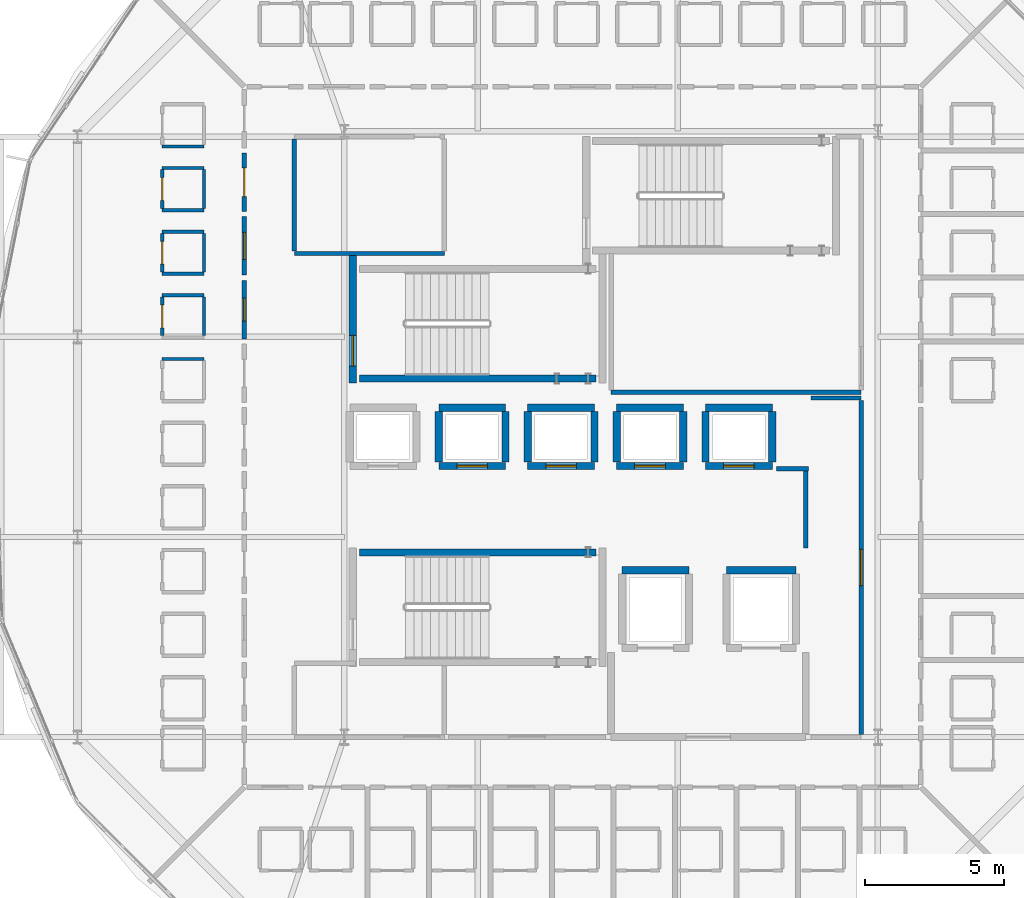
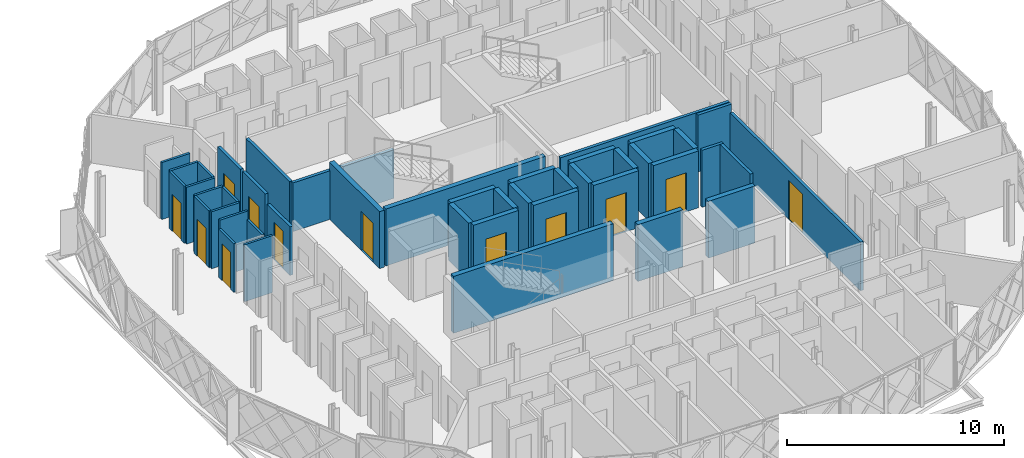
# One storey, part 31 of 40: 44 walls, 12 doors, 12 openings.
"""IFC4 building model written with IfcOpenShell, lengths in metres."""

from ifc_helpers import new_model, si_unit, direction, frame, frame_2d, origin, place, context, subcontext, project, spatial, rectangle, extrude, material, layer, layer_set, type_object, element, fill, save


model = new_model("IFC4")

# Units and contexts
model_context = context("Model", 3, precision=1e-05, world=origin(), true_north=direction((0.0, 1.0)))
body_context = subcontext(model_context, "Body", "Model", "MODEL_VIEW")
ifc_project = project(units=[si_unit("LENGTHUNIT", "METRE"), si_unit("AREAUNIT", "SQUARE_METRE"), si_unit("VOLUMEUNIT", "CUBIC_METRE"), si_unit("PLANEANGLEUNIT", "RADIAN"), si_unit("MASSUNIT", "GRAM", prefix="KILO")], contexts=[model_context])

# Site, building, storey
site_placement = place(None, origin())
site = spatial("IfcSite", under=ifc_project, at=site_placement, CompositionType="ELEMENT")
building_placement = place(site_placement, origin())
building = spatial("IfcBuilding", under=site, at=building_placement, Name="Zevrakil Square Congress Hotel", CompositionType="ELEMENT")
storey_placement = place(building_placement, frame((0.0, 0.0, 18.10009765625)))
storey = spatial("IfcBuildingStorey", under=building, at=storey_placement, Name="L05", CompositionType="ELEMENT", Elevation=18.10009765625)

# Walls
ifc_material_1 = material(Name="Gypsum Acoustic Stud Partition")
ifc_layer_1 = layer(ifc_material_1, 0.159912109375)
ifc_layer_set_1 = layer_set([ifc_layer_1], Name="Gypsum Acoustic Stud Partition")
wall_type_1 = type_object("IfcWallType", Name="WAL-CORR-160", PredefinedType="PARTITIONING", material=ifc_layer_set_1)
wall_1_placement = place(storey_placement, frame((135.0, 34.199951171875, 0.0), z_axis=(0.0, 0.0, 1.0), x_axis=(1.0, 0.0, 0.0)))
element("IfcWall", 1, at=wall_1_placement, inside=storey, type_object=wall_type_1, Name="L05 interior partition PW-L05-0463", PredefinedType="PARTITIONING", context=body_context, shape_type="SweptSolid", body=[
    extrude(rectangle(XDim=5.39990234375, YDim=0.159912109375, at=frame_2d((2.699951171875, 0.0))), origin(), (0.0, 0.0, 1.0), 2.744873046875),
])
wall_2_placement = place(storey_placement, frame((135.0, 34.284912109375, 0.0), z_axis=(0.0, 0.0, 1.0), x_axis=(0.0, 1.0, 0.0)))
element("IfcWall", 2, at=wall_2_placement, inside=storey, type_object=wall_type_1, Name="L05 interior partition PW-L05-0465", PredefinedType="PARTITIONING", context=body_context, shape_type="SweptSolid", body=[
    extrude(rectangle(XDim=4.030029296875, YDim=0.159912109375, at=frame_2d((2.01513671875, 0.0))), origin(), (0.0, 0.0, 1.0), 2.744873046875),
])
wall_3_placement = place(storey_placement, frame((146.39990234375, 29.199951171875, 0.0), z_axis=(0.0, 0.0, 1.0), x_axis=(1.0, 0.0, 0.0)))
element("IfcWall", 3, at=wall_3_placement, inside=storey, type_object=wall_type_1, Name="L05 interior partition PW-L05-0467", PredefinedType="PARTITIONING", context=body_context, shape_type="SweptSolid", body=[
    extrude(rectangle(XDim=9.0, YDim=0.159912109375, at=frame_2d((4.5, 0.0))), origin(), (0.0, 0.0, 1.0), 3.2099609375),
])
wall_4_placement = place(storey_placement, frame((153.60009765625, 29.0, 0.0), z_axis=(0.0, 0.0, 1.0), x_axis=(1.0, 0.0, 0.0)))
element("IfcWall", 4, at=wall_4_placement, inside=storey, type_object=wall_type_1, Name="L05 interior partition PW-L05-0472", PredefinedType="PARTITIONING", context=body_context, shape_type="SweptSolid", body=[
    extrude(rectangle(XDim=1.7998046875, YDim=0.159912109375, at=frame_2d((0.89990234375, 0.0))), origin(), (0.0, 0.0, 1.0), 3.2099609375),
])

# Wall, opening, door
wall_5_placement = place(storey_placement, frame((155.39990234375, 16.885009765625, 0.0), z_axis=(0.0, 0.0, 1.0), x_axis=(0.0, 1.0, 0.0)))
wall_5 = element("IfcWall", 5, at=wall_5_placement, inside=storey, type_object=wall_type_1, Name="L05 interior partition PW-L05-0473", PredefinedType="PARTITIONING", context=body_context, shape_type="SweptSolid", body=[
    extrude(rectangle(XDim=12.030029296875, YDim=0.159912109375, at=frame_2d((6.01513671875, 0.0))), origin(), (0.0, 0.0, 1.0), 2.744873046875),
])
opening_1_placement = place(wall_5_placement, frame((5.364990234375, 0.0, 0.0)))
opening_1 = element("IfcOpeningElement", 6, at=opening_1_placement, cuts=wall_5, Name="Opening ID-08", PredefinedType="OPENING", context=body_context, shape_type="SweptSolid", body=[
    extrude(rectangle(XDim=1.300048828125, YDim=2.199951171875, at=frame_2d((0.64990234375, 1.10009765625))), frame((0.0, 0.08984375, 0.0), z_axis=(0.0, -1.0, 0.0), x_axis=(1.0, 0.0, 0.0)), (0.0, 0.0, 1.0), 0.179931640625),
])
ifc_material_2 = material(Name="Service Corridor Leaf-and-Half Door")
door_type_1 = type_object("IfcDoorType", Name="DOR-BOH-130", OperationType="NOTDEFINED", PredefinedType="DOOR", material=ifc_material_2)
door_1_placement = place(opening_1_placement, origin())
door_1 = element("IfcDoor", 7, at=door_1_placement, inside=storey, type_object=door_type_1, Name="L05 interior door 190", OperationType="SINGLE_SWING_RIGHT", OverallHeight=2.199951171875, OverallWidth=1.300048828125, PredefinedType="DOOR", context=body_context, shape_type="SweptSolid", body=[
    extrude(rectangle(XDim=1.300048828125, YDim=2.199951171875, at=frame_2d((0.64990234375, 1.10009765625))), frame((0.0, 0.02490234375, 0.0), z_axis=(0.0, -1.0, 0.0), x_axis=(1.0, 0.0, 0.0)), (0.0, 0.0, 1.0), 0.050048828125),
])
fill(opening_1, door_1)

# Walls
wall_6_placement = place(storey_placement, frame((152.35009765625, 26.449951171875, 0.0), z_axis=(0.0, 0.0, 1.0), x_axis=(1.0, 0.0, 0.0)))
element("IfcWall", 8, at=wall_6_placement, inside=storey, type_object=wall_type_1, Name="L05 interior partition PW-L05-0474", PredefinedType="PARTITIONING", context=body_context, shape_type="SweptSolid", body=[
    extrude(rectangle(XDim=1.14990234375, YDim=0.159912109375, at=frame_2d((0.574951171875, 0.0))), origin(), (0.0, 0.0, 1.0), 3.2099609375),
])
wall_7_placement = place(storey_placement, frame((153.39990234375, 23.60009765625, 0.0), z_axis=(0.0, 0.0, 1.0), x_axis=(0.0, 1.0, 0.0)))
element("IfcWall", 9, at=wall_7_placement, inside=storey, type_object=wall_type_1, Name="L05 interior partition PW-L05-0475", PredefinedType="PARTITIONING", context=body_context, shape_type="SweptSolid", body=[
    extrude(rectangle(XDim=2.7998046875, YDim=0.159912109375, at=frame_2d((1.39990234375, 0.0))), origin(), (0.0, 0.0, 1.0), 3.2099609375),
])

# Wall, opening, door
wall_8_placement = place(storey_placement, frame((133.199951171875, 35.713134765625, 0.0), z_axis=(0.0, 0.0, 1.0), x_axis=(0.0, 1.0, 0.0)))
wall_8 = element("IfcWall", 10, at=wall_8_placement, inside=storey, type_object=wall_type_1, Name="L05 interior partition PW-L05-0637", PredefinedType="PARTITIONING", context=body_context, shape_type="SweptSolid", body=[
    extrude(rectangle(XDim=2.10107421875, YDim=0.159912109375, at=frame_2d((1.050537109375, 0.0))), origin(), (0.0, 0.0, 1.0), 3.2099609375),
])
opening_2_placement = place(wall_8_placement, frame((0.535400390625, 0.0, 0.0)))
opening_2 = element("IfcOpeningElement", 11, at=opening_2_placement, cuts=wall_8, Name="Opening ID-G08", PredefinedType="OPENING", context=body_context, shape_type="SweptSolid", body=[
    extrude(rectangle(XDim=1.030029296875, YDim=2.050048828125, at=frame_2d((0.51513671875, 1.02490234375))), frame((0.0, 0.08984375, 0.0), z_axis=(0.0, -1.0, 0.0), x_axis=(1.0, 0.0, 0.0)), (0.0, 0.0, 1.0), 0.179931640625),
])
ifc_material_3 = material(Name="Acoustic Timber Fire Door", Category="wood")
door_type_2 = type_object("IfcDoorType", Name="DOR-INT-G08", OperationType="NOTDEFINED", PredefinedType="DOOR", material=ifc_material_3)
door_2_placement = place(opening_2_placement, origin())
door_2 = element("IfcDoor", 12, at=door_2_placement, inside=storey, type_object=door_type_2, Name="L05 interior door 254", OperationType="SINGLE_SWING_RIGHT", OverallHeight=2.050048828125, OverallWidth=1.030029296875, PredefinedType="DOOR", context=body_context, shape_type="SweptSolid", body=[
    extrude(rectangle(XDim=1.030029296875, YDim=2.050048828125, at=frame_2d((0.51513671875, 1.02490234375))), frame((0.0, 0.02490234375, 0.0), z_axis=(0.0, -1.0, 0.0), x_axis=(1.0, 0.0, 0.0)), (0.0, 0.0, 1.0), 0.050048828125),
])
fill(opening_2, door_2)

wall_9_placement = place(storey_placement, frame((133.199951171875, 33.42236328125, 0.0), z_axis=(0.0, 0.0, 1.0), x_axis=(0.0, 1.0, 0.0)))
wall_9 = element("IfcWall", 13, at=wall_9_placement, inside=storey, type_object=wall_type_1, Name="L05 interior partition PW-L05-0642", PredefinedType="PARTITIONING", context=body_context, shape_type="SweptSolid", body=[
    extrude(rectangle(XDim=2.100830078125, YDim=0.159912109375, at=frame_2d((1.05029296875, 0.0))), origin(), (0.0, 0.0, 1.0), 3.2099609375),
])
opening_3_placement = place(wall_9_placement, frame((0.564453125, 0.0, 0.0)))
opening_3 = element("IfcOpeningElement", 14, at=opening_3_placement, cuts=wall_9, Name="Opening ID-H11", PredefinedType="OPENING", context=body_context, shape_type="SweptSolid", body=[
    extrude(rectangle(XDim=0.971923828125, YDim=2.159912109375, at=frame_2d((0.48583984375, 1.080078125))), frame((0.0, 0.08984375, 0.0), z_axis=(0.0, -1.0, 0.0), x_axis=(1.0, 0.0, 0.0)), (0.0, 0.0, 1.0), 0.179931640625),
])
ifc_material_4 = material(Name="Acoustic Timber Fire Door", Category="wood")
door_type_3 = type_object("IfcDoorType", Name="DOR-INT-H11", OperationType="NOTDEFINED", PredefinedType="DOOR", material=ifc_material_4)
door_3_placement = place(opening_3_placement, origin())
door_3 = element("IfcDoor", 15, at=door_3_placement, inside=storey, type_object=door_type_3, Name="L05 interior door 256", OperationType="SINGLE_SWING_RIGHT", OverallHeight=2.159912109375, OverallWidth=0.971923828125, PredefinedType="DOOR", context=body_context, shape_type="SweptSolid", body=[
    extrude(rectangle(XDim=0.971923828125, YDim=2.159912109375, at=frame_2d((0.48583984375, 1.080078125))), frame((0.0, 0.02490234375, 0.0), z_axis=(0.0, -1.0, 0.0), x_axis=(1.0, 0.0, 0.0)), (0.0, 0.0, 1.0), 0.050048828125),
])
fill(opening_3, door_3)

wall_10_placement = place(storey_placement, frame((133.199951171875, 31.13134765625, 0.0), z_axis=(0.0, 0.0, 1.0), x_axis=(0.0, 1.0, 0.0)))
wall_10 = element("IfcWall", 16, at=wall_10_placement, inside=storey, type_object=wall_type_1, Name="L05 interior partition PW-L05-0647", PredefinedType="PARTITIONING", context=body_context, shape_type="SweptSolid", body=[
    extrude(rectangle(XDim=2.10107421875, YDim=0.159912109375, at=frame_2d((1.050537109375, 0.0))), origin(), (0.0, 0.0, 1.0), 2.744873046875),
])
opening_4_placement = place(wall_10_placement, frame((0.635498046875, 0.0, 0.0)))
opening_4 = element("IfcOpeningElement", 17, at=opening_4_placement, cuts=wall_10, Name="Opening ID-G10", PredefinedType="OPENING", context=body_context, shape_type="SweptSolid", body=[
    extrude(rectangle(XDim=0.830078125, YDim=2.110107421875, at=frame_2d((0.4150390625, 1.05517578125))), frame((0.0, 0.08984375, 0.0), z_axis=(0.0, -1.0, 0.0), x_axis=(1.0, 0.0, 0.0)), (0.0, 0.0, 1.0), 0.179931640625),
])
ifc_material_5 = material(Name="Acoustic Timber Fire Door", Category="wood")
door_type_4 = type_object("IfcDoorType", Name="DOR-INT-G10", OperationType="NOTDEFINED", PredefinedType="DOOR", material=ifc_material_5)
door_4_placement = place(opening_4_placement, origin())
door_4 = element("IfcDoor", 18, at=door_4_placement, inside=storey, type_object=door_type_4, Name="L05 interior door 258", OperationType="SINGLE_SWING_RIGHT", OverallHeight=2.110107421875, OverallWidth=0.830078125, PredefinedType="DOOR", context=body_context, shape_type="SweptSolid", body=[
    extrude(rectangle(XDim=0.830078125, YDim=2.110107421875, at=frame_2d((0.4150390625, 1.05517578125))), frame((0.0, 0.02490234375, 0.0), z_axis=(0.0, -1.0, 0.0), x_axis=(1.0, 0.0, 0.0)), (0.0, 0.0, 1.0), 0.050048828125),
])
fill(opening_4, door_4)

# Walls
ifc_material_6 = material(Name="Moisture-Resistant Gypsum Partition")
ifc_layer_2 = layer(ifc_material_6, 0.1201171875)
ifc_layer_set_2 = layer_set([ifc_layer_2], Name="Moisture-Resistant Gypsum Partition")
wall_type_2 = type_object("IfcWallType", Name="WAL-ENS-120", PredefinedType="PARTITIONING", material=ifc_layer_set_2)
for number, where, z_axis, x_axis, name in (
    (19, (130.25, 38.049072265625, 0.0), (0.0, 0.0, 1.0), (1.0, 0.0, 0.0), "L05 interior partition PW-L05-0633"),
    (20, (130.25, 35.75830078125, 0.0), (0.0, 0.0, 1.0), (1.0, 0.0, 0.0), "L05 interior partition PW-L05-0638"),
    (21, (130.25, 37.2783203125, 0.0), (0.0, 0.0, 1.0), (1.0, 0.0, 0.0), "L05 interior partition PW-L05-0639"),
):
    element("IfcWall", number, at=place(storey_placement, frame(where, z_axis=z_axis, x_axis=x_axis)), inside=storey, type_object=wall_type_2, Name=name, PredefinedType="PARTITIONING", context=body_context, shape_type="SweptSolid", body=[
        extrude(rectangle(XDim=1.5, YDim=0.1201171875, at=frame_2d((0.75, 0.0))), origin(), (0.0, 0.0, 1.0), 3.2099609375),
    ])

# Wall, opening, door
wall_11_placement = place(storey_placement, frame((130.25, 35.8232421875, 0.0), z_axis=(0.0, 0.0, 1.0), x_axis=(0.0, 1.0, 0.0)))
wall_11 = element("IfcWall", 22, at=wall_11_placement, inside=storey, type_object=wall_type_2, Name="L05 interior partition PW-L05-0640", PredefinedType="PARTITIONING", context=body_context, shape_type="SweptSolid", body=[
    extrude(rectangle(XDim=1.389892578125, YDim=0.1201171875, at=frame_2d((0.69482421875, 0.0))), origin(), (0.0, 0.0, 1.0), 3.2099609375),
])
opening_5_placement = place(wall_11_placement, frame((0.284912109375, 0.0, 0.0)))
opening_5 = element("IfcOpeningElement", 23, at=opening_5_placement, cuts=wall_11, Name="Opening ID-11", PredefinedType="OPENING", context=body_context, shape_type="SweptSolid", body=[
    extrude(rectangle(XDim=0.820068359375, YDim=2.080078125, at=frame_2d((0.41015625, 1.0400390625))), frame((0.0, 0.070068359375, 0.0), z_axis=(0.0, -1.0, 0.0), x_axis=(1.0, 0.0, 0.0)), (0.0, 0.0, 1.0), 0.14013671875),
])
ifc_material_7 = material(Name="Acoustic Timber Door", Category="wood")
door_type_5 = type_object("IfcDoorType", Name="DOR-INT-V01", OperationType="NOTDEFINED", PredefinedType="DOOR", material=ifc_material_7)
door_5_placement = place(opening_5_placement, origin())
door_5 = element("IfcDoor", 24, at=door_5_placement, inside=storey, type_object=door_type_5, Name="L05 interior door 255", OperationType="SINGLE_SWING_LEFT", OverallHeight=2.080078125, OverallWidth=0.820068359375, PredefinedType="DOOR", context=body_context, shape_type="SweptSolid", body=[
    extrude(rectangle(XDim=0.820068359375, YDim=2.080078125, at=frame_2d((0.41015625, 1.0400390625))), frame((0.0, 0.02490234375, 0.0), z_axis=(0.0, -1.0, 0.0), x_axis=(1.0, 0.0, 0.0)), (0.0, 0.0, 1.0), 0.050048828125),
])
fill(opening_5, door_5)

# Walls
wall_12_placement = place(storey_placement, frame((131.75, 35.8232421875, 0.0), z_axis=(0.0, 0.0, 1.0), x_axis=(0.0, 1.0, 0.0)))
element("IfcWall", 25, at=wall_12_placement, inside=storey, type_object=wall_type_2, Name="L05 interior partition PW-L05-0641", PredefinedType="PARTITIONING", context=body_context, shape_type="SweptSolid", body=[
    extrude(rectangle(XDim=1.389892578125, YDim=0.1201171875, at=frame_2d((0.69482421875, 0.0))), origin(), (0.0, 0.0, 1.0), 3.2099609375),
])
for number, where, z_axis, x_axis, name in (
    (26, (130.25, 33.46728515625, 0.0), (0.0, 0.0, 1.0), (1.0, 0.0, 0.0), "L05 interior partition PW-L05-0643"),
    (27, (130.25, 34.9873046875, 0.0), (0.0, 0.0, 1.0), (1.0, 0.0, 0.0), "L05 interior partition PW-L05-0644"),
):
    element("IfcWall", number, at=place(storey_placement, frame(where, z_axis=z_axis, x_axis=x_axis)), inside=storey, type_object=wall_type_2, Name=name, PredefinedType="PARTITIONING", context=body_context, shape_type="SweptSolid", body=[
        extrude(rectangle(XDim=1.5, YDim=0.1201171875, at=frame_2d((0.75, 0.0))), origin(), (0.0, 0.0, 1.0), 3.2099609375),
    ])

# Wall, opening, door
wall_13_placement = place(storey_placement, frame((130.25, 33.5322265625, 0.0), z_axis=(0.0, 0.0, 1.0), x_axis=(0.0, 1.0, 0.0)))
wall_13 = element("IfcWall", 28, at=wall_13_placement, inside=storey, type_object=wall_type_2, Name="L05 interior partition PW-L05-0645", PredefinedType="PARTITIONING", context=body_context, shape_type="SweptSolid", body=[
    extrude(rectangle(XDim=1.39013671875, YDim=0.1201171875, at=frame_2d((0.695068359375, 0.0))), origin(), (0.0, 0.0, 1.0), 3.2099609375),
])
opening_6_placement = place(wall_13_placement, frame((0.284912109375, 0.0, 0.0)))
opening_6 = element("IfcOpeningElement", 29, at=opening_6_placement, cuts=wall_13, Name="Opening ID-11", PredefinedType="OPENING", context=body_context, shape_type="SweptSolid", body=[
    extrude(rectangle(XDim=0.820068359375, YDim=2.080078125, at=frame_2d((0.41015625, 1.0400390625))), frame((0.0, 0.070068359375, 0.0), z_axis=(0.0, -1.0, 0.0), x_axis=(1.0, 0.0, 0.0)), (0.0, 0.0, 1.0), 0.14013671875),
])
door_6_placement = place(opening_6_placement, origin())
door_6 = element("IfcDoor", 30, at=door_6_placement, inside=storey, type_object=door_type_5, Name="L05 interior door 257", OperationType="SINGLE_SWING_LEFT", OverallHeight=2.080078125, OverallWidth=0.820068359375, PredefinedType="DOOR", context=body_context, shape_type="SweptSolid", body=[
    extrude(rectangle(XDim=0.820068359375, YDim=2.080078125, at=frame_2d((0.41015625, 1.0400390625))), frame((0.0, 0.02490234375, 0.0), z_axis=(0.0, -1.0, 0.0), x_axis=(1.0, 0.0, 0.0)), (0.0, 0.0, 1.0), 0.050048828125),
])
fill(opening_6, door_6)

# Walls
wall_14_placement = place(storey_placement, frame((131.75, 33.5322265625, 0.0), z_axis=(0.0, 0.0, 1.0), x_axis=(0.0, 1.0, 0.0)))
element("IfcWall", 31, at=wall_14_placement, inside=storey, type_object=wall_type_2, Name="L05 interior partition PW-L05-0646", PredefinedType="PARTITIONING", context=body_context, shape_type="SweptSolid", body=[
    extrude(rectangle(XDim=1.39013671875, YDim=0.1201171875, at=frame_2d((0.695068359375, 0.0))), origin(), (0.0, 0.0, 1.0), 3.2099609375),
])
wall_15_placement = place(storey_placement, frame((130.25, 32.6962890625, 0.0), z_axis=(0.0, 0.0, 1.0), x_axis=(1.0, 0.0, 0.0)))
element("IfcWall", 32, at=wall_15_placement, inside=storey, type_object=wall_type_2, Name="L05 interior partition PW-L05-0649", PredefinedType="PARTITIONING", context=body_context, shape_type="SweptSolid", body=[
    extrude(rectangle(XDim=1.5, YDim=0.1201171875, at=frame_2d((0.75, 0.0))), origin(), (0.0, 0.0, 1.0), 3.2099609375),
])

# Wall, opening, door
wall_16_placement = place(storey_placement, frame((130.25, 31.241455078125, 0.0), z_axis=(0.0, 0.0, 1.0), x_axis=(0.0, 1.0, 0.0)))
wall_16 = element("IfcWall", 33, at=wall_16_placement, inside=storey, type_object=wall_type_2, Name="L05 interior partition PW-L05-0650", PredefinedType="PARTITIONING", context=body_context, shape_type="SweptSolid", body=[
    extrude(rectangle(XDim=1.389892578125, YDim=0.1201171875, at=frame_2d((0.69482421875, 0.0))), origin(), (0.0, 0.0, 1.0), 2.744873046875),
])
opening_7_placement = place(wall_16_placement, frame((0.284912109375, 0.0, 0.0)))
opening_7 = element("IfcOpeningElement", 34, at=opening_7_placement, cuts=wall_16, Name="Opening ID-11", PredefinedType="OPENING", context=body_context, shape_type="SweptSolid", body=[
    extrude(rectangle(XDim=0.820068359375, YDim=2.080078125, at=frame_2d((0.41015625, 1.0400390625))), frame((0.0, 0.070068359375, 0.0), z_axis=(0.0, -1.0, 0.0), x_axis=(1.0, 0.0, 0.0)), (0.0, 0.0, 1.0), 0.14013671875),
])
door_7_placement = place(opening_7_placement, origin())
door_7 = element("IfcDoor", 35, at=door_7_placement, inside=storey, type_object=door_type_5, Name="L05 interior door 259", OperationType="SINGLE_SWING_LEFT", OverallHeight=2.080078125, OverallWidth=0.820068359375, PredefinedType="DOOR", context=body_context, shape_type="SweptSolid", body=[
    extrude(rectangle(XDim=0.820068359375, YDim=2.080078125, at=frame_2d((0.41015625, 1.0400390625))), frame((0.0, 0.02490234375, 0.0), z_axis=(0.0, -1.0, 0.0), x_axis=(1.0, 0.0, 0.0)), (0.0, 0.0, 1.0), 0.050048828125),
])
fill(opening_7, door_7)

# Walls
wall_17_placement = place(storey_placement, frame((131.75, 31.241455078125, 0.0), z_axis=(0.0, 0.0, 1.0), x_axis=(0.0, 1.0, 0.0)))
element("IfcWall", 36, at=wall_17_placement, inside=storey, type_object=wall_type_2, Name="L05 interior partition PW-L05-0651", PredefinedType="PARTITIONING", context=body_context, shape_type="SweptSolid", body=[
    extrude(rectangle(XDim=1.389892578125, YDim=0.1201171875, at=frame_2d((0.69482421875, 0.0))), origin(), (0.0, 0.0, 1.0), 2.744873046875),
])
wall_18_placement = place(storey_placement, frame((130.25, 30.405517578125, 0.0), z_axis=(0.0, 0.0, 1.0), x_axis=(1.0, 0.0, 0.0)))
element("IfcWall", 37, at=wall_18_placement, inside=storey, type_object=wall_type_2, Name="L05 interior partition PW-L05-0654", PredefinedType="PARTITIONING", context=body_context, shape_type="SweptSolid", body=[
    extrude(rectangle(XDim=1.5, YDim=0.1201171875, at=frame_2d((0.75, 0.0))), origin(), (0.0, 0.0, 1.0), 3.2099609375),
])
ifc_material_8 = material(Name="Concrete C40/50", Category="concrete")
ifc_layer_3 = layer(ifc_material_8, 0.260009765625)
ifc_layer_set_3 = layer_set([ifc_layer_3], Name="Concrete C40/50")
wall_type_3 = type_object("IfcWallType", Name="WAL-SHAFT-260", PredefinedType="SHEAR", material=ifc_layer_set_3)
wall_19_placement = place(storey_placement, frame((137.340087890625, 23.445068359375, 0.0), z_axis=(0.0, 0.0, 1.0), x_axis=(1.0, 0.0, 0.0)))
element("IfcWall", 38, at=wall_19_placement, inside=storey, type_object=wall_type_3, Name="L05 ST01 stair shaft N wall", PredefinedType="SHEAR", context=body_context, shape_type="SweptSolid", body=[
    extrude(rectangle(XDim=8.52001953125, YDim=0.260009765625, at=frame_2d((4.260009765625, 0.0))), origin(), (0.0, 0.0, 1.0), 3.2099609375),
])

# Wall, opening, door
wall_20_placement = place(storey_placement, frame((137.10498046875, 29.5400390625, 0.0), z_axis=(0.0, 0.0, 1.0), x_axis=(0.0, 1.0, 0.0)))
wall_20 = element("IfcWall", 39, at=wall_20_placement, inside=storey, type_object=wall_type_3, Name="L05 ST02 stair shaft W wall", PredefinedType="SHEAR", context=body_context, shape_type="SweptSolid", body=[
    extrude(rectangle(XDim=4.635009765625, YDim=0.260009765625, at=frame_2d((2.3173828125, 0.0))), origin(), (0.0, 0.0, 1.0), 3.2099609375),
])
opening_8_placement = place(wall_20_placement, frame((0.610107421875, 0.0, 0.0)))
opening_8 = element("IfcOpeningElement", 40, at=opening_8_placement, cuts=wall_20, Name="Opening SD-ST02", PredefinedType="OPENING", context=body_context, shape_type="SweptSolid", body=[
    extrude(rectangle(XDim=1.10009765625, YDim=2.199951171875, at=frame_2d((0.550048828125, 1.10009765625))), frame((0.0, 0.14013671875, 0.0), z_axis=(0.0, -1.0, 0.0), x_axis=(1.0, 0.0, 0.0)), (0.0, 0.0, 1.0), 0.280029296875),
])
ifc_material_9 = material(Name="Steel S355 Fire-Rated Door", Category="steel")
door_type_6 = type_object("IfcDoorType", Name="DOR-STAIR-FD90-110", OperationType="NOTDEFINED", PredefinedType="DOOR", material=ifc_material_9)
door_8_placement = place(opening_8_placement, origin())
door_8 = element("IfcDoor", 41, at=door_8_placement, inside=storey, type_object=door_type_6, Name="L05 ST02 protected stair fire door", OperationType="SINGLE_SWING_RIGHT", OverallHeight=2.199951171875, OverallWidth=1.10009765625, PredefinedType="DOOR", context=body_context, shape_type="SweptSolid", body=[
    extrude(rectangle(XDim=1.10009765625, YDim=2.199951171875, at=frame_2d((0.550048828125, 1.10009765625))), frame((0.0, 0.02490234375, 0.0), z_axis=(0.0, -1.0, 0.0), x_axis=(1.0, 0.0, 0.0)), (0.0, 0.0, 1.0), 0.050048828125),
])
fill(opening_8, door_8)

# Wall
wall_21_placement = place(storey_placement, frame((137.340087890625, 29.705078125, 0.0), z_axis=(0.0, 0.0, 1.0), x_axis=(1.0, 0.0, 0.0)))
element("IfcWall", 42, at=wall_21_placement, inside=storey, type_object=wall_type_3, Name="L05 ST02 stair shaft S wall", PredefinedType="SHEAR", context=body_context, shape_type="SweptSolid", body=[
    extrude(rectangle(XDim=8.52001953125, YDim=0.260009765625, at=frame_2d((4.260009765625, 0.0))), origin(), (0.0, 0.0, 1.0), 3.2099609375),
])

# Wall, opening, door
wall_22_placement = place(storey_placement, frame((140.199951171875, 26.550048828125, 0.0), z_axis=(0.0, 0.0, 1.0), x_axis=(1.0, 0.0, 0.0)))
wall_22 = element("IfcWall", 43, at=wall_22_placement, inside=storey, type_object=wall_type_3, Name="L05 HL2 lift shaft wall", PredefinedType="SHEAR", context=body_context, shape_type="SweptSolid", body=[
    extrude(rectangle(XDim=2.400146484375, YDim=0.260009765625, at=frame_2d((1.2001953125, 0.0))), origin(), (0.0, 0.0, 1.0), 3.2099609375),
])
opening_9_placement = place(wall_22_placement, frame((0.64990234375, 0.0, 0.0)))
opening_9 = element("IfcOpeningElement", 44, at=opening_9_placement, cuts=wall_22, Name="Opening LD-HL2", PredefinedType="OPENING", context=body_context, shape_type="SweptSolid", body=[
    extrude(rectangle(XDim=1.10009765625, YDim=2.199951171875, at=frame_2d((0.550048828125, 1.10009765625))), frame((0.0, 0.14013671875, 0.0), z_axis=(0.0, -1.0, 0.0), x_axis=(1.0, 0.0, 0.0)), (0.0, 0.0, 1.0), 0.280029296875),
])
ifc_material_10 = material(Name="Stainless Steel Sliding Lift Landing Door", Category="steel")
door_type_7 = type_object("IfcDoorType", Name="DOR-LIFT-LD110", OperationType="NOTDEFINED", PredefinedType="DOOR", material=ifc_material_10)
door_9_placement = place(opening_9_placement, origin())
door_9 = element("IfcDoor", 45, at=door_9_placement, inside=storey, type_object=door_type_7, Name="L05 HL2 sliding lift landing door", OperationType="SLIDING_TO_RIGHT", OverallHeight=2.199951171875, OverallWidth=1.10009765625, PredefinedType="DOOR", context=body_context, shape_type="SweptSolid", body=[
    extrude(rectangle(XDim=1.10009765625, YDim=2.199951171875, at=frame_2d((0.550048828125, 1.10009765625))), frame((0.0, 0.02490234375, 0.0), z_axis=(0.0, -1.0, 0.0), x_axis=(1.0, 0.0, 0.0)), (0.0, 0.0, 1.0), 0.050048828125),
])
fill(opening_9, door_9)

# Walls
wall_23_placement = place(storey_placement, frame((140.199951171875, 28.64990234375, 0.0), z_axis=(0.0, 0.0, 1.0), x_axis=(1.0, 0.0, 0.0)))
element("IfcWall", 46, at=wall_23_placement, inside=storey, type_object=wall_type_3, Name="L05 HL2 lift shaft wall", PredefinedType="SHEAR", context=body_context, shape_type="SweptSolid", body=[
    extrude(rectangle(XDim=2.400146484375, YDim=0.260009765625, at=frame_2d((1.2001953125, 0.0))), origin(), (0.0, 0.0, 1.0), 3.2099609375),
])
for number, where, z_axis, x_axis, name in (
    (47, (140.199951171875, 26.68994140625, 0.0), (0.0, 0.0, 1.0), (0.0, 1.0, 0.0), "L05 HL2 lift shaft wall"),
    (48, (142.60009765625, 26.68994140625, 0.0), (0.0, 0.0, 1.0), (0.0, 1.0, 0.0), "L05 HL2 lift shaft wall"),
):
    element("IfcWall", number, at=place(storey_placement, frame(where, z_axis=z_axis, x_axis=x_axis)), inside=storey, type_object=wall_type_3, Name=name, PredefinedType="SHEAR", context=body_context, shape_type="SweptSolid", body=[
        extrude(rectangle(XDim=1.820068359375, YDim=0.260009765625, at=frame_2d((0.91015625, 0.0))), origin(), (0.0, 0.0, 1.0), 3.2099609375),
    ])

# Wall, opening, door
wall_24_placement = place(storey_placement, frame((143.39990234375, 26.550048828125, 0.0), z_axis=(0.0, 0.0, 1.0), x_axis=(1.0, 0.0, 0.0)))
wall_24 = element("IfcWall", 49, at=wall_24_placement, inside=storey, type_object=wall_type_3, Name="L05 HL3 lift shaft wall", PredefinedType="SHEAR", context=body_context, shape_type="SweptSolid", body=[
    extrude(rectangle(XDim=2.400146484375, YDim=0.260009765625, at=frame_2d((1.2001953125, 0.0))), origin(), (0.0, 0.0, 1.0), 3.2099609375),
])
opening_10_placement = place(wall_24_placement, frame((0.64990234375, 0.0, 0.0)))
opening_10 = element("IfcOpeningElement", 50, at=opening_10_placement, cuts=wall_24, Name="Opening LD-HL3", PredefinedType="OPENING", context=body_context, shape_type="SweptSolid", body=[
    extrude(rectangle(XDim=1.10009765625, YDim=2.199951171875, at=frame_2d((0.550048828125, 1.10009765625))), frame((0.0, 0.14013671875, 0.0), z_axis=(0.0, -1.0, 0.0), x_axis=(1.0, 0.0, 0.0)), (0.0, 0.0, 1.0), 0.280029296875),
])
door_10_placement = place(opening_10_placement, origin())
door_10 = element("IfcDoor", 51, at=door_10_placement, inside=storey, type_object=door_type_7, Name="L05 HL3 sliding lift landing door", OperationType="SLIDING_TO_LEFT", OverallHeight=2.199951171875, OverallWidth=1.10009765625, PredefinedType="DOOR", context=body_context, shape_type="SweptSolid", body=[
    extrude(rectangle(XDim=1.10009765625, YDim=2.199951171875, at=frame_2d((0.550048828125, 1.10009765625))), frame((0.0, 0.02490234375, 0.0), z_axis=(0.0, -1.0, 0.0), x_axis=(1.0, 0.0, 0.0)), (0.0, 0.0, 1.0), 0.050048828125),
])
fill(opening_10, door_10)

# Walls
wall_25_placement = place(storey_placement, frame((143.39990234375, 28.64990234375, 0.0), z_axis=(0.0, 0.0, 1.0), x_axis=(1.0, 0.0, 0.0)))
element("IfcWall", 52, at=wall_25_placement, inside=storey, type_object=wall_type_3, Name="L05 HL3 lift shaft wall", PredefinedType="SHEAR", context=body_context, shape_type="SweptSolid", body=[
    extrude(rectangle(XDim=2.400146484375, YDim=0.260009765625, at=frame_2d((1.2001953125, 0.0))), origin(), (0.0, 0.0, 1.0), 3.2099609375),
])
for number, where, z_axis, x_axis, name in (
    (53, (143.39990234375, 26.68994140625, 0.0), (0.0, 0.0, 1.0), (0.0, 1.0, 0.0), "L05 HL3 lift shaft wall"),
    (54, (145.800048828125, 26.68994140625, 0.0), (0.0, 0.0, 1.0), (0.0, 1.0, 0.0), "L05 HL3 lift shaft wall"),
):
    element("IfcWall", number, at=place(storey_placement, frame(where, z_axis=z_axis, x_axis=x_axis)), inside=storey, type_object=wall_type_3, Name=name, PredefinedType="SHEAR", context=body_context, shape_type="SweptSolid", body=[
        extrude(rectangle(XDim=1.820068359375, YDim=0.260009765625, at=frame_2d((0.91015625, 0.0))), origin(), (0.0, 0.0, 1.0), 3.2099609375),
    ])

# Wall, opening, door
wall_26_placement = place(storey_placement, frame((146.60009765625, 26.550048828125, 0.0), z_axis=(0.0, 0.0, 1.0), x_axis=(1.0, 0.0, 0.0)))
wall_26 = element("IfcWall", 55, at=wall_26_placement, inside=storey, type_object=wall_type_3, Name="L05 HL4 lift shaft wall", PredefinedType="SHEAR", context=body_context, shape_type="SweptSolid", body=[
    extrude(rectangle(XDim=2.39990234375, YDim=0.260009765625, at=frame_2d((1.199951171875, 0.0))), origin(), (0.0, 0.0, 1.0), 3.2099609375),
])
opening_11_placement = place(wall_26_placement, frame((0.64990234375, 0.0, 0.0)))
opening_11 = element("IfcOpeningElement", 56, at=opening_11_placement, cuts=wall_26, Name="Opening LD-HL4", PredefinedType="OPENING", context=body_context, shape_type="SweptSolid", body=[
    extrude(rectangle(XDim=1.10009765625, YDim=2.199951171875, at=frame_2d((0.550048828125, 1.10009765625))), frame((0.0, 0.14013671875, 0.0), z_axis=(0.0, -1.0, 0.0), x_axis=(1.0, 0.0, 0.0)), (0.0, 0.0, 1.0), 0.280029296875),
])
door_11_placement = place(opening_11_placement, origin())
door_11 = element("IfcDoor", 57, at=door_11_placement, inside=storey, type_object=door_type_7, Name="L05 HL4 sliding lift landing door", OperationType="SLIDING_TO_RIGHT", OverallHeight=2.199951171875, OverallWidth=1.10009765625, PredefinedType="DOOR", context=body_context, shape_type="SweptSolid", body=[
    extrude(rectangle(XDim=1.10009765625, YDim=2.199951171875, at=frame_2d((0.550048828125, 1.10009765625))), frame((0.0, 0.02490234375, 0.0), z_axis=(0.0, -1.0, 0.0), x_axis=(1.0, 0.0, 0.0)), (0.0, 0.0, 1.0), 0.050048828125),
])
fill(opening_11, door_11)

# Walls
wall_27_placement = place(storey_placement, frame((146.60009765625, 28.64990234375, 0.0), z_axis=(0.0, 0.0, 1.0), x_axis=(1.0, 0.0, 0.0)))
element("IfcWall", 58, at=wall_27_placement, inside=storey, type_object=wall_type_3, Name="L05 HL4 lift shaft wall", PredefinedType="SHEAR", context=body_context, shape_type="SweptSolid", body=[
    extrude(rectangle(XDim=2.39990234375, YDim=0.260009765625, at=frame_2d((1.199951171875, 0.0))), origin(), (0.0, 0.0, 1.0), 3.2099609375),
])
for number, where, z_axis, x_axis, name in (
    (59, (146.60009765625, 26.68994140625, 0.0), (0.0, 0.0, 1.0), (0.0, 1.0, 0.0), "L05 HL4 lift shaft wall"),
    (60, (149.0, 26.68994140625, 0.0), (0.0, 0.0, 1.0), (0.0, 1.0, 0.0), "L05 HL4 lift shaft wall"),
):
    element("IfcWall", number, at=place(storey_placement, frame(where, z_axis=z_axis, x_axis=x_axis)), inside=storey, type_object=wall_type_3, Name=name, PredefinedType="SHEAR", context=body_context, shape_type="SweptSolid", body=[
        extrude(rectangle(XDim=1.820068359375, YDim=0.260009765625, at=frame_2d((0.91015625, 0.0))), origin(), (0.0, 0.0, 1.0), 3.2099609375),
    ])

# Wall, opening, door
wall_28_placement = place(storey_placement, frame((149.800048828125, 26.550048828125, 0.0), z_axis=(0.0, 0.0, 1.0), x_axis=(1.0, 0.0, 0.0)))
wall_28 = element("IfcWall", 61, at=wall_28_placement, inside=storey, type_object=wall_type_3, Name="L05 HL5 lift shaft wall", PredefinedType="SHEAR", context=body_context, shape_type="SweptSolid", body=[
    extrude(rectangle(XDim=2.39990234375, YDim=0.260009765625, at=frame_2d((1.199951171875, 0.0))), origin(), (0.0, 0.0, 1.0), 3.2099609375),
])
opening_12_placement = place(wall_28_placement, frame((0.64990234375, 0.0, 0.0)))
opening_12 = element("IfcOpeningElement", 62, at=opening_12_placement, cuts=wall_28, Name="Opening LD-HL5", PredefinedType="OPENING", context=body_context, shape_type="SweptSolid", body=[
    extrude(rectangle(XDim=1.10009765625, YDim=2.199951171875, at=frame_2d((0.550048828125, 1.10009765625))), frame((0.0, 0.14013671875, 0.0), z_axis=(0.0, -1.0, 0.0), x_axis=(1.0, 0.0, 0.0)), (0.0, 0.0, 1.0), 0.280029296875),
])
door_12_placement = place(opening_12_placement, origin())
door_12 = element("IfcDoor", 63, at=door_12_placement, inside=storey, type_object=door_type_7, Name="L05 HL5 sliding lift landing door", OperationType="SLIDING_TO_LEFT", OverallHeight=2.199951171875, OverallWidth=1.10009765625, PredefinedType="DOOR", context=body_context, shape_type="SweptSolid", body=[
    extrude(rectangle(XDim=1.10009765625, YDim=2.199951171875, at=frame_2d((0.550048828125, 1.10009765625))), frame((0.0, 0.02490234375, 0.0), z_axis=(0.0, -1.0, 0.0), x_axis=(1.0, 0.0, 0.0)), (0.0, 0.0, 1.0), 0.050048828125),
])
fill(opening_12, door_12)

# Walls
wall_29_placement = place(storey_placement, frame((149.800048828125, 28.64990234375, 0.0), z_axis=(0.0, 0.0, 1.0), x_axis=(1.0, 0.0, 0.0)))
element("IfcWall", 64, at=wall_29_placement, inside=storey, type_object=wall_type_3, Name="L05 HL5 lift shaft wall", PredefinedType="SHEAR", context=body_context, shape_type="SweptSolid", body=[
    extrude(rectangle(XDim=2.39990234375, YDim=0.260009765625, at=frame_2d((1.199951171875, 0.0))), origin(), (0.0, 0.0, 1.0), 3.2099609375),
])
for number, where, z_axis, x_axis, name in (
    (65, (149.800048828125, 26.68994140625, 0.0), (0.0, 0.0, 1.0), (0.0, 1.0, 0.0), "L05 HL5 lift shaft wall"),
    (66, (152.199951171875, 26.68994140625, 0.0), (0.0, 0.0, 1.0), (0.0, 1.0, 0.0), "L05 HL5 lift shaft wall"),
):
    element("IfcWall", number, at=place(storey_placement, frame(where, z_axis=z_axis, x_axis=x_axis)), inside=storey, type_object=wall_type_3, Name=name, PredefinedType="SHEAR", context=body_context, shape_type="SweptSolid", body=[
        extrude(rectangle(XDim=1.820068359375, YDim=0.260009765625, at=frame_2d((0.91015625, 0.0))), origin(), (0.0, 0.0, 1.0), 3.2099609375),
    ])
wall_30_placement = place(storey_placement, frame((146.800048828125, 22.800048828125, 0.0), z_axis=(0.0, 0.0, 1.0), x_axis=(1.0, 0.0, 0.0)))
element("IfcWall", 67, at=wall_30_placement, inside=storey, type_object=wall_type_3, Name="L05 FFL1 lift shaft wall", PredefinedType="SHEAR", context=body_context, shape_type="SweptSolid", body=[
    extrude(rectangle(XDim=2.39990234375, YDim=0.260009765625, at=frame_2d((1.199951171875, 0.0))), origin(), (0.0, 0.0, 1.0), 3.2099609375),
])
wall_31_placement = place(storey_placement, frame((150.550048828125, 22.800048828125, 0.0), z_axis=(0.0, 0.0, 1.0), x_axis=(1.0, 0.0, 0.0)))
element("IfcWall", 68, at=wall_31_placement, inside=storey, type_object=wall_type_3, Name="L05 SL1 lift shaft wall", PredefinedType="SHEAR", context=body_context, shape_type="SweptSolid", body=[
    extrude(rectangle(XDim=2.5, YDim=0.260009765625, at=frame_2d((1.25, 0.0))), origin(), (0.0, 0.0, 1.0), 3.2099609375),
])

save(model, "model.ifc")
